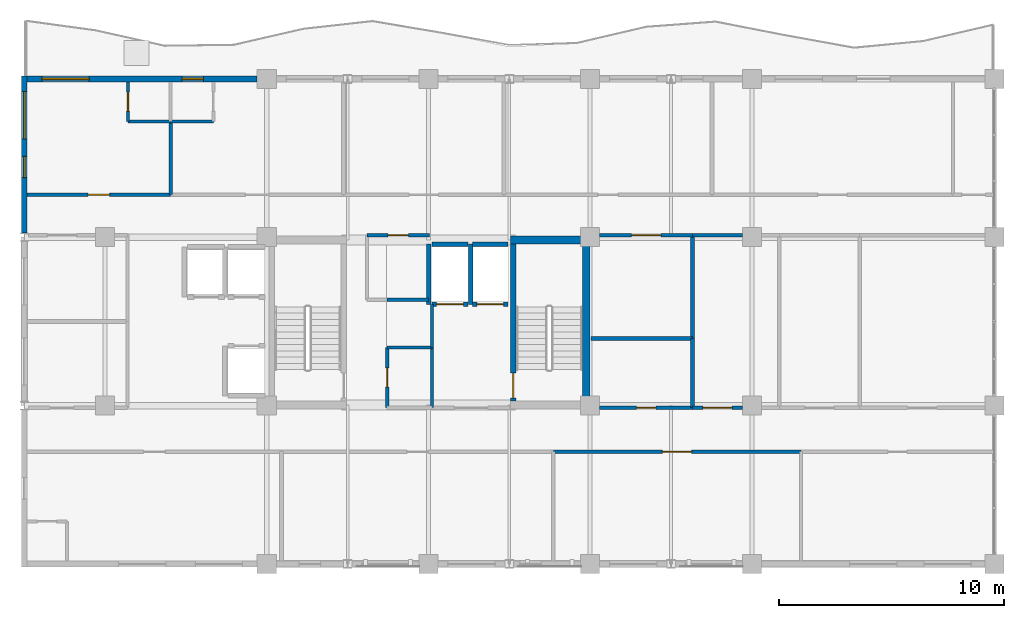
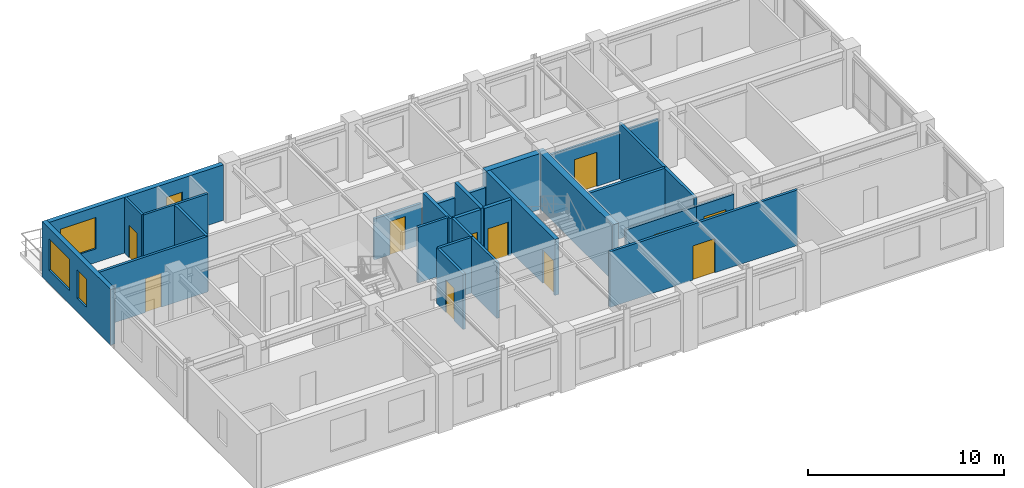
# One storey, part 7 of 11: 30 walls, 11 doors, 4 windows, 15 openings.
"""IFC4 building model written with IfcOpenShell, lengths in metres."""

from ifc_helpers import new_model, si_unit, direction, frame, frame_2d, origin, place, context, subcontext, project, spatial, rectangle, extrude, material, layer, layer_set, type_object, element, fill, save


model = new_model("IFC4")

# Units and contexts
model_context = context("Model", 3, precision=1e-05, world=origin(), true_north=direction((0.0, 1.0)))
body_context = subcontext(model_context, "Body", "Model", "MODEL_VIEW")
ifc_project = project(units=[si_unit("LENGTHUNIT", "METRE"), si_unit("AREAUNIT", "SQUARE_METRE"), si_unit("VOLUMEUNIT", "CUBIC_METRE"), si_unit("PLANEANGLEUNIT", "RADIAN"), si_unit("MASSUNIT", "GRAM", prefix="KILO")], contexts=[model_context])

# Site, building, storey
site_placement = place(None, origin())
site = spatial("IfcSite", under=ifc_project, at=site_placement, CompositionType="ELEMENT")
building_placement = place(site_placement, origin())
building = spatial("IfcBuilding", under=site, at=building_placement, Name="Kaliganga Portal Commons", CompositionType="ELEMENT")
storey_placement = place(building_placement, frame((0.0, 0.0, 272.10009765625)))
storey = spatial("IfcBuildingStorey", under=building, at=storey_placement, Name="L70", CompositionType="ELEMENT", Elevation=272.10009765625)

# Walls
ifc_material_1 = material(Name="Concrete C50/60", Category="concrete")
ifc_layer_1 = layer(ifc_material_1, 0.35009765625)
ifc_layer_set_1 = layer_set([ifc_layer_1], Name="Concrete C50/60")
wall_type_1 = type_object("IfcWallType", Name="WL-CORE-350", PredefinedType="SHEAR", material=ifc_layer_set_1)
wall_1_placement = place(storey_placement, frame((28.625, 28.5, 0.0), z_axis=(0.0, 0.0, 1.0), x_axis=(0.0, 1.0, 0.0)))
element("IfcWall", 1, at=wall_1_placement, inside=storey, type_object=wall_type_1, Name="Core A East Shear Wall L70", PredefinedType="SHEAR", context=body_context, shape_type="SweptSolid", body=[
    extrude(rectangle(XDim=7.699951171875, YDim=0.35009765625, at=frame_2d((3.85009765625, 0.0))), origin(), (0.0, 0.0, 1.0), 3.474853515625),
])
wall_2_placement = place(storey_placement, frame((25.25, 36.02490234375, 0.0), z_axis=(0.0, 0.0, 1.0), x_axis=(1.0, 0.0, 0.0)))
element("IfcWall", 2, at=wall_2_placement, inside=storey, type_object=wall_type_1, Name="Core A N-East Shear Wall L70", PredefinedType="SHEAR", context=body_context, shape_type="SweptSolid", body=[
    extrude(rectangle(XDim=3.199951171875, YDim=0.35009765625, at=frame_2d((1.60009765625, 0.0))), origin(), (0.0, 0.0, 1.0), 3.474853515625),
])

# Wall, openings, windows
ifc_material_2 = material(Name="Insulated Aluminium-Clad Spandrel Assembly", Category="aluminium")
ifc_layer_2 = layer(ifc_material_2, 0.260009765625)
ifc_layer_set_2 = layer_set([ifc_layer_2], Name="Insulated Aluminium-Clad Spandrel Assembly")
wall_type_2 = type_object("IfcWallType", Name="WL-EXT-SPAND-260", PredefinedType="STANDARD", material=ifc_layer_set_2)
wall_3_placement = place(storey_placement, frame((3.735107421875, 43.199951171875, 0.0), z_axis=(0.0, 0.0, 1.0), x_axis=(1.0, 0.0, 0.0)))
wall_3 = element("IfcWall", 3, at=wall_3_placement, inside=storey, type_object=wall_type_2, Name="Exterior Envelope Wall L70 P1-E02-S8", PredefinedType="STANDARD", context=body_context, shape_type="SweptSolid", body=[
    extrude(rectangle(XDim=10.239013671875, YDim=0.260009765625, at=frame_2d((5.11962890625, 0.0))), origin(), (0.0, 0.0, 1.0), 3.454833984375),
])
opening_1_placement = place(wall_3_placement, frame((0.656494140625, 0.0, 0.85009765625)))
opening_1 = element("IfcOpeningElement", 4, at=opening_1_placement, cuts=wall_3, Name="Opening W-06", PredefinedType="OPENING", context=body_context, shape_type="SweptSolid", body=[
    extrude(rectangle(XDim=2.10009765625, YDim=1.949951171875, at=frame_2d((1.050048828125, 0.97509765625))), frame((0.0, 0.14013671875, 0.0), z_axis=(0.0, -1.0, 0.0), x_axis=(1.0, 0.0, 0.0)), (0.0, 0.0, 1.0), 0.280029296875),
])
opening_2_placement = place(wall_3_placement, frame((6.897216796875, 0.0, 0.85009765625)))
opening_2 = element("IfcOpeningElement", 5, at=opening_2_placement, cuts=wall_3, Name="Opening W-04", PredefinedType="OPENING", context=body_context, shape_type="SweptSolid", body=[
    extrude(rectangle(XDim=0.949951171875, YDim=1.75, at=frame_2d((0.47509765625, 0.875))), frame((0.0, 0.14013671875, 0.0), z_axis=(0.0, -1.0, 0.0), x_axis=(1.0, 0.0, 0.0)), (0.0, 0.0, 1.0), 0.280029296875),
])
ifc_material_3 = material(Name="Thermally Broken Aluminium and Low-E Double Glazing", Category="aluminium")
window_type_1 = type_object("IfcWindowType", Name="WIN-NARROW-950", PartitioningType="SINGLE_PANEL", PredefinedType="WINDOW", material=ifc_material_3)
window_1_placement = place(opening_2_placement, origin())
window_1 = element("IfcWindow", 6, at=window_1_placement, inside=storey, type_object=window_type_1, Name="Facade Window L70-P1E02S8-N4", OverallHeight=1.75, OverallWidth=0.949951171875, PartitioningType="SINGLE_PANEL", PredefinedType="WINDOW", context=body_context, shape_type="SweptSolid", body=[
    extrude(rectangle(XDim=0.949951171875, YDim=1.75, at=frame_2d((0.47509765625, 0.875))), frame((0.0, 0.030029296875, 0.0), z_axis=(0.0, -1.0, 0.0), x_axis=(1.0, 0.0, 0.0)), (0.0, 0.0, 1.0), 0.06005859375),
])
fill(opening_2, window_1)
window_type_2 = type_object("IfcWindowType", Name="WIN-PAN-2100", PartitioningType="DOUBLE_PANEL_VERTICAL", PredefinedType="WINDOW", material=ifc_material_3)
window_2_placement = place(opening_1_placement, origin())
window_2 = element("IfcWindow", 7, at=window_2_placement, inside=storey, type_object=window_type_2, Name="Facade Window L70-P1E02S8-00", OverallHeight=1.949951171875, OverallWidth=2.10009765625, PartitioningType="SINGLE_PANEL", PredefinedType="WINDOW", context=body_context, shape_type="SweptSolid", body=[
    extrude(rectangle(XDim=2.10009765625, YDim=1.949951171875, at=frame_2d((1.050048828125, 0.97509765625))), frame((0.0, 0.030029296875, 0.0), z_axis=(0.0, -1.0, 0.0), x_axis=(1.0, 0.0, 0.0)), (0.0, 0.0, 1.0), 0.06005859375),
])
fill(opening_1, window_2)

wall_4_placement = place(storey_placement, frame((3.60009765625, 36.3369140625, 0.0), z_axis=(0.0, 0.0, 1.0), x_axis=(0.0, 1.0, 0.0)))
wall_4 = element("IfcWall", 8, at=wall_4_placement, inside=storey, type_object=wall_type_2, Name="Exterior Envelope Wall L70 P1-E03-S1", PredefinedType="STANDARD", context=body_context, shape_type="SweptSolid", body=[
    extrude(rectangle(XDim=6.9931640625, YDim=0.260009765625, at=frame_2d((3.49658203125, 0.0))), origin(), (0.0, 0.0, 1.0), 3.454833984375),
])
opening_3_placement = place(wall_4_placement, frame((4.194580078125, 0.0, 0.85009765625)))
opening_3 = element("IfcOpeningElement", 9, at=opening_3_placement, cuts=wall_4, Name="Opening W-06", PredefinedType="OPENING", context=body_context, shape_type="SweptSolid", body=[
    extrude(rectangle(XDim=2.10009765625, YDim=1.949951171875, at=frame_2d((1.050048828125, 0.97509765625))), frame((0.0, 0.14013671875, 0.0), z_axis=(0.0, -1.0, 0.0), x_axis=(1.0, 0.0, 0.0)), (0.0, 0.0, 1.0), 0.280029296875),
])
opening_4_placement = place(wall_4_placement, frame((2.462158203125, 0.0, 0.85009765625)))
opening_4 = element("IfcOpeningElement", 10, at=opening_4_placement, cuts=wall_4, Name="Opening W-04", PredefinedType="OPENING", context=body_context, shape_type="SweptSolid", body=[
    extrude(rectangle(XDim=0.949951171875, YDim=1.75, at=frame_2d((0.47509765625, 0.875))), frame((0.0, 0.14013671875, 0.0), z_axis=(0.0, -1.0, 0.0), x_axis=(1.0, 0.0, 0.0)), (0.0, 0.0, 1.0), 0.280029296875),
])
window_3_placement = place(opening_4_placement, origin())
window_3 = element("IfcWindow", 11, at=window_3_placement, inside=storey, type_object=window_type_1, Name="Facade Window L70-P1E03S1-N5", OverallHeight=1.75, OverallWidth=0.949951171875, PartitioningType="SINGLE_PANEL", PredefinedType="WINDOW", context=body_context, shape_type="SweptSolid", body=[
    extrude(rectangle(XDim=0.949951171875, YDim=1.75, at=frame_2d((0.47509765625, 0.875))), frame((0.0, 0.030029296875, 0.0), z_axis=(0.0, -1.0, 0.0), x_axis=(1.0, 0.0, 0.0)), (0.0, 0.0, 1.0), 0.06005859375),
])
fill(opening_4, window_3)
window_4_placement = place(opening_3_placement, origin())
window_4 = element("IfcWindow", 12, at=window_4_placement, inside=storey, type_object=window_type_2, Name="Facade Window L70-P1E03S1-01", OverallHeight=1.949951171875, OverallWidth=2.10009765625, PartitioningType="SINGLE_PANEL", PredefinedType="WINDOW", context=body_context, shape_type="SweptSolid", body=[
    extrude(rectangle(XDim=2.10009765625, YDim=1.949951171875, at=frame_2d((1.050048828125, 0.97509765625))), frame((0.0, 0.030029296875, 0.0), z_axis=(0.0, -1.0, 0.0), x_axis=(1.0, 0.0, 0.0)), (0.0, 0.0, 1.0), 0.06005859375),
])
fill(opening_3, window_4)

# Wall, opening, door
ifc_material_4 = material(Name="Fire-Rated Gypsum Board on Steel Stud", Category="steel")
ifc_layer_3 = layer(ifc_material_4, 0.14990234375)
ifc_layer_set_3 = layer_set([ifc_layer_3], Name="Fire-Rated Gypsum Board on Steel Stud")
wall_type_3 = type_object("IfcWallType", Name="WL-PART-CORR-150", PredefinedType="PARTITIONING", material=ifc_layer_set_3)
wall_5_placement = place(storey_placement, frame((27.159912109375, 26.60009765625, 0.0), z_axis=(0.0, 0.0, 1.0), x_axis=(1.0, 0.0, 0.0)))
wall_5 = element("IfcWall", 13, at=wall_5_placement, inside=storey, type_object=wall_type_3, Name="Interior Partition L70-010", PredefinedType="PARTITIONING", context=body_context, shape_type="SweptSolid", body=[
    extrude(rectangle(XDim=11.02001953125, YDim=0.14990234375, at=frame_2d((5.510009765625, 0.0))), origin(), (0.0, 0.0, 1.0), 3.454833984375),
])
opening_5_placement = place(wall_5_placement, frame((4.860107421875, 0.0, 0.0)))
opening_5 = element("IfcOpeningElement", 14, at=opening_5_placement, cuts=wall_5, Name="Opening RD-03", PredefinedType="OPENING", context=body_context, shape_type="SweptSolid", body=[
    extrude(rectangle(XDim=1.300048828125, YDim=2.1201171875, at=frame_2d((0.64990234375, 1.06005859375))), frame((0.0, 0.0849609375, 0.0), z_axis=(0.0, -1.0, 0.0), x_axis=(1.0, 0.0, 0.0)), (0.0, 0.0, 1.0), 0.169921875),
])
ifc_material_5 = material(Name="Glazed Timber Seminar Vision Door", Category="wood")
door_type_1 = type_object("IfcDoorType", Name="DR-STUDY-1300", OperationType="DOUBLE_DOOR_SINGLE_SWING", PredefinedType="DOOR", material=ifc_material_5)
door_1_placement = place(opening_5_placement, origin())
door_1 = element("IfcDoor", 15, at=door_1_placement, inside=storey, type_object=door_type_1, Name="Interior Door L70-AS03", OperationType="DOUBLE_DOOR_SINGLE_SWING", OverallHeight=2.1201171875, OverallWidth=1.300048828125, PredefinedType="DOOR", context=body_context, shape_type="SweptSolid", body=[
    extrude(rectangle(XDim=1.300048828125, YDim=2.1201171875, at=frame_2d((0.64990234375, 1.06005859375))), frame((0.0, 0.02490234375, 0.0), z_axis=(0.0, -1.0, 0.0), x_axis=(1.0, 0.0, 0.0)), (0.0, 0.0, 1.0), 0.050048828125),
])
fill(opening_5, door_1)

wall_6_placement = place(storey_placement, frame((3.73193359375, 38.0400390625, 0.0), z_axis=(0.0, 0.0, 1.0), x_axis=(1.0, 0.0, 0.0)))
wall_6 = element("IfcWall", 16, at=wall_6_placement, inside=storey, type_object=wall_type_3, Name="Interior Partition L70-016", PredefinedType="PARTITIONING", context=body_context, shape_type="SweptSolid", body=[
    extrude(rectangle(XDim=6.38818359375, YDim=0.14990234375, at=frame_2d((3.194091796875, 0.0))), origin(), (0.0, 0.0, 1.0), 3.454833984375),
])
opening_6_placement = place(wall_6_placement, frame((2.718994140625, 0.0, 0.0)))
opening_6 = element("IfcOpeningElement", 17, at=opening_6_placement, cuts=wall_6, Name="Opening UD-01", PredefinedType="OPENING", context=body_context, shape_type="SweptSolid", body=[
    extrude(rectangle(XDim=0.949951171875, YDim=2.10009765625, at=frame_2d((0.47509765625, 1.050048828125))), frame((0.0, 0.0849609375, 0.0), z_axis=(0.0, -1.0, 0.0), x_axis=(1.0, 0.0, 0.0)), (0.0, 0.0, 1.0), 0.169921875),
])
ifc_material_6 = material(Name="Solid-Core Timber Acoustic Fire Door", Category="wood")
door_type_2 = type_object("IfcDoorType", Name="DR-UNIT-950", OperationType="NOTDEFINED", PredefinedType="DOOR", material=ifc_material_6)
door_2_placement = place(opening_6_placement, origin())
door_2 = element("IfcDoor", 18, at=door_2_placement, inside=storey, type_object=door_type_2, Name="Interior Door L70-AN01", OperationType="SINGLE_SWING_RIGHT", OverallHeight=2.10009765625, OverallWidth=0.949951171875, PredefinedType="DOOR", context=body_context, shape_type="SweptSolid", body=[
    extrude(rectangle(XDim=0.949951171875, YDim=2.10009765625, at=frame_2d((0.47509765625, 1.050048828125))), frame((0.0, 0.02490234375, 0.0), z_axis=(0.0, -1.0, 0.0), x_axis=(1.0, 0.0, 0.0)), (0.0, 0.0, 1.0), 0.050048828125),
])
fill(opening_6, door_2)

wall_7_placement = place(storey_placement, frame((29.22509765625, 28.56005859375, 0.0), z_axis=(0.0, 0.0, 1.0), x_axis=(1.0, 0.0, 0.0)))
wall_7 = element("IfcWall", 19, at=wall_7_placement, inside=storey, type_object=wall_type_3, Name="Interior Partition L70-023", PredefinedType="PARTITIONING", context=body_context, shape_type="SweptSolid", body=[
    extrude(rectangle(XDim=4.135009765625, YDim=0.14990234375, at=frame_2d((2.0673828125, 0.0))), origin(), (0.0, 0.0, 1.0), 2.90478515625),
])
opening_7_placement = place(wall_7_placement, frame((1.637451171875, 0.0, 0.0)))
opening_7 = element("IfcOpeningElement", 20, at=opening_7_placement, cuts=wall_7, Name="Opening WD-02", PredefinedType="OPENING", context=body_context, shape_type="SweptSolid", body=[
    extrude(rectangle(XDim=0.860107421875, YDim=2.02001953125, at=frame_2d((0.43017578125, 1.010009765625))), frame((0.0, 0.0849609375, 0.0), z_axis=(0.0, -1.0, 0.0), x_axis=(1.0, 0.0, 0.0)), (0.0, 0.0, 1.0), 0.169921875),
])
ifc_material_7 = material(Name="Fire-Rated Utility Closet Door", Category="wood")
door_type_3 = type_object("IfcDoorType", Name="DR-STORE-800", OperationType="NOTDEFINED", PredefinedType="DOOR", material=ifc_material_7)
door_3_placement = place(opening_7_placement, origin())
door_3 = element("IfcDoor", 21, at=door_3_placement, inside=storey, type_object=door_type_3, Name="Interior Door L70-CSRV_A1", OperationType="SINGLE_SWING_RIGHT", OverallHeight=2.02001953125, OverallWidth=0.860107421875, PredefinedType="DOOR", context=body_context, shape_type="SweptSolid", body=[
    extrude(rectangle(XDim=0.860107421875, YDim=2.02001953125, at=frame_2d((0.43017578125, 1.010009765625))), frame((0.0, 0.02490234375, 0.0), z_axis=(0.0, -1.0, 0.0), x_axis=(1.0, 0.0, 0.0)), (0.0, 0.0, 1.0), 0.050048828125),
])
fill(opening_7, door_3)

wall_8_placement = place(storey_placement, frame((29.22509765625, 36.239990234375, 0.0), z_axis=(0.0, 0.0, 1.0), x_axis=(1.0, 0.0, 0.0)))
wall_8 = element("IfcWall", 22, at=wall_8_placement, inside=storey, type_object=wall_type_3, Name="Interior Partition L70-024", PredefinedType="PARTITIONING", context=body_context, shape_type="SweptSolid", body=[
    extrude(rectangle(XDim=4.135009765625, YDim=0.14990234375, at=frame_2d((2.0673828125, 0.0))), origin(), (0.0, 0.0, 1.0), 2.90478515625),
])
opening_8_placement = place(wall_8_placement, frame((1.41748046875, 0.0, 0.0)))
opening_8 = element("IfcOpeningElement", 23, at=opening_8_placement, cuts=wall_8, Name="Opening RD-03", PredefinedType="OPENING", context=body_context, shape_type="SweptSolid", body=[
    extrude(rectangle(XDim=1.300048828125, YDim=2.1201171875, at=frame_2d((0.64990234375, 1.06005859375))), frame((0.0, 0.0849609375, 0.0), z_axis=(0.0, -1.0, 0.0), x_axis=(1.0, 0.0, 0.0)), (0.0, 0.0, 1.0), 0.169921875),
])
door_4_placement = place(opening_8_placement, origin())
door_4 = element("IfcDoor", 24, at=door_4_placement, inside=storey, type_object=door_type_1, Name="Interior Door L70-CSRV_A2", OperationType="DOUBLE_DOOR_SINGLE_SWING", OverallHeight=2.1201171875, OverallWidth=1.300048828125, PredefinedType="DOOR", context=body_context, shape_type="SweptSolid", body=[
    extrude(rectangle(XDim=1.300048828125, YDim=2.1201171875, at=frame_2d((0.64990234375, 1.06005859375))), frame((0.0, 0.02490234375, 0.0), z_axis=(0.0, -1.0, 0.0), x_axis=(1.0, 0.0, 0.0)), (0.0, 0.0, 1.0), 0.050048828125),
])
fill(opening_8, door_4)

wall_9_placement = place(storey_placement, frame((33.360107421875, 28.56005859375, 0.0), z_axis=(0.0, 0.0, 1.0), x_axis=(1.0, 0.0, 0.0)))
wall_9 = element("IfcWall", 25, at=wall_9_placement, inside=storey, type_object=wall_type_3, Name="Interior Partition L70-025", PredefinedType="PARTITIONING", context=body_context, shape_type="SweptSolid", body=[
    extrude(rectangle(XDim=2.21484375, YDim=0.14990234375, at=frame_2d((1.107421875, 0.0))), origin(), (0.0, 0.0, 1.0), 2.90478515625),
])
opening_9_placement = place(wall_9_placement, frame((0.45751953125, 0.0, 0.0)))
opening_9 = element("IfcOpeningElement", 26, at=opening_9_placement, cuts=wall_9, Name="Opening RD-03", PredefinedType="OPENING", context=body_context, shape_type="SweptSolid", body=[
    extrude(rectangle(XDim=1.300048828125, YDim=2.1201171875, at=frame_2d((0.64990234375, 1.06005859375))), frame((0.0, 0.0849609375, 0.0), z_axis=(0.0, -1.0, 0.0), x_axis=(1.0, 0.0, 0.0)), (0.0, 0.0, 1.0), 0.169921875),
])
door_5_placement = place(opening_9_placement, origin())
door_5 = element("IfcDoor", 27, at=door_5_placement, inside=storey, type_object=door_type_1, Name="Interior Door L70-AE01", OperationType="DOUBLE_DOOR_SINGLE_SWING", OverallHeight=2.1201171875, OverallWidth=1.300048828125, PredefinedType="DOOR", context=body_context, shape_type="SweptSolid", body=[
    extrude(rectangle(XDim=1.300048828125, YDim=2.1201171875, at=frame_2d((0.64990234375, 1.06005859375))), frame((0.0, 0.02490234375, 0.0), z_axis=(0.0, -1.0, 0.0), x_axis=(1.0, 0.0, 0.0)), (0.0, 0.0, 1.0), 0.050048828125),
])
fill(opening_9, door_5)

# Wall
wall_10_placement = place(storey_placement, frame((33.360107421875, 36.239990234375, 0.0), z_axis=(0.0, 0.0, 1.0), x_axis=(1.0, 0.0, 0.0)))
element("IfcWall", 28, at=wall_10_placement, inside=storey, type_object=wall_type_3, Name="Interior Partition L70-027", PredefinedType="PARTITIONING", context=body_context, shape_type="SweptSolid", body=[
    extrude(rectangle(XDim=2.21484375, YDim=0.14990234375, at=frame_2d((1.107421875, 0.0))), origin(), (0.0, 0.0, 1.0), 2.90478515625),
])

# Wall, opening, door
wall_11_placement = place(storey_placement, frame((18.860107421875, 36.239990234375, 0.0), z_axis=(0.0, 0.0, 1.0), x_axis=(1.0, 0.0, 0.0)))
wall_11 = element("IfcWall", 29, at=wall_11_placement, inside=storey, type_object=wall_type_3, Name="Interior Partition L70-034", PredefinedType="PARTITIONING", context=body_context, shape_type="SweptSolid", body=[
    extrude(rectangle(XDim=2.77978515625, YDim=0.14990234375, at=frame_2d((1.389892578125, 0.0))), origin(), (0.0, 0.0, 1.0), 2.554931640625),
])
opening_10_placement = place(wall_11_placement, frame((0.93994140625, 0.0, 0.0)))
opening_10 = element("IfcOpeningElement", 30, at=opening_10_placement, cuts=wall_11, Name="Opening RD-01", PredefinedType="OPENING", context=body_context, shape_type="SweptSolid", body=[
    extrude(rectangle(XDim=0.89990234375, YDim=2.080078125, at=frame_2d((0.449951171875, 1.0400390625))), frame((0.0, 0.0849609375, 0.0), z_axis=(0.0, -1.0, 0.0), x_axis=(1.0, 0.0, 0.0)), (0.0, 0.0, 1.0), 0.169921875),
])
ifc_material_8 = material(Name="Engineered Timber Flush Door", Category="wood")
door_type_4 = type_object("IfcDoorType", Name="DR-ROOM-900", OperationType="NOTDEFINED", PredefinedType="DOOR", material=ifc_material_8)
door_6_placement = place(opening_10_placement, origin())
door_6 = element("IfcDoor", 31, at=door_6_placement, inside=storey, type_object=door_type_4, Name="Interior Door L70-CREC_A1", OperationType="SINGLE_SWING_RIGHT", OverallHeight=2.080078125, OverallWidth=0.89990234375, PredefinedType="DOOR", context=body_context, shape_type="SweptSolid", body=[
    extrude(rectangle(XDim=0.89990234375, YDim=2.080078125, at=frame_2d((0.449951171875, 1.0400390625))), frame((0.0, 0.02490234375, 0.0), z_axis=(0.0, -1.0, 0.0), x_axis=(1.0, 0.0, 0.0)), (0.0, 0.0, 1.0), 0.050048828125),
])
fill(opening_10, door_6)

wall_12_placement = place(storey_placement, frame((19.760009765625, 28.56005859375, 0.0), z_axis=(0.0, 0.0, 1.0), x_axis=(0.0, 1.0, 0.0)))
wall_12 = element("IfcWall", 32, at=wall_12_placement, inside=storey, type_object=wall_type_3, Name="Interior Partition L70-035", PredefinedType="PARTITIONING", context=body_context, shape_type="SweptSolid", body=[
    extrude(rectangle(XDim=2.679931640625, YDim=0.14990234375, at=frame_2d((1.33984375, 0.0))), origin(), (0.0, 0.0, 1.0), 3.454833984375),
])
opening_11_placement = place(wall_12_placement, frame((0.909912109375, 0.0, 0.0)))
opening_11 = element("IfcOpeningElement", 33, at=opening_11_placement, cuts=wall_12, Name="Opening WD-02", PredefinedType="OPENING", context=body_context, shape_type="SweptSolid", body=[
    extrude(rectangle(XDim=0.860107421875, YDim=2.02001953125, at=frame_2d((0.43017578125, 1.010009765625))), frame((0.0, 0.0849609375, 0.0), z_axis=(0.0, -1.0, 0.0), x_axis=(1.0, 0.0, 0.0)), (0.0, 0.0, 1.0), 0.169921875),
])
door_7_placement = place(opening_11_placement, origin())
door_7 = element("IfcDoor", 34, at=door_7_placement, inside=storey, type_object=door_type_3, Name="Interior Door L70-CIN_A1", OperationType="SINGLE_SWING_LEFT", OverallHeight=2.02001953125, OverallWidth=0.860107421875, PredefinedType="DOOR", context=body_context, shape_type="SweptSolid", body=[
    extrude(rectangle(XDim=0.860107421875, YDim=2.02001953125, at=frame_2d((0.43017578125, 1.010009765625))), frame((0.0, 0.02490234375, 0.0), z_axis=(0.0, -1.0, 0.0), x_axis=(1.0, 0.0, 0.0)), (0.0, 0.0, 1.0), 0.050048828125),
])
fill(opening_11, door_7)

# Walls
wall_13_placement = place(storey_placement, frame((21.760009765625, 28.56005859375, 0.0), z_axis=(0.0, 0.0, 1.0), x_axis=(0.0, 1.0, 0.0)))
element("IfcWall", 35, at=wall_13_placement, inside=storey, type_object=wall_type_3, Name="Interior Partition L70-036", PredefinedType="PARTITIONING", context=body_context, shape_type="SweptSolid", body=[
    extrude(rectangle(XDim=2.679931640625, YDim=0.14990234375, at=frame_2d((1.33984375, 0.0))), origin(), (0.0, 0.0, 1.0), 3.454833984375),
])
wall_14_placement = place(storey_placement, frame((19.760009765625, 31.239990234375, 0.0), z_axis=(0.0, 0.0, 1.0), x_axis=(1.0, 0.0, 0.0)))
element("IfcWall", 36, at=wall_14_placement, inside=storey, type_object=wall_type_3, Name="Interior Partition L70-038", PredefinedType="PARTITIONING", context=body_context, shape_type="SweptSolid", body=[
    extrude(rectangle(XDim=2.0, YDim=0.14990234375, at=frame_2d((1.0, 0.0))), origin(), (0.0, 0.0, 1.0), 3.454833984375),
])
wall_15_placement = place(storey_placement, frame((19.760009765625, 33.360107421875, 0.0), z_axis=(0.0, 0.0, 1.0), x_axis=(1.0, 0.0, 0.0)))
element("IfcWall", 37, at=wall_15_placement, inside=storey, type_object=wall_type_3, Name="Interior Partition L70-039", PredefinedType="PARTITIONING", context=body_context, shape_type="SweptSolid", body=[
    extrude(rectangle(XDim=1.85009765625, YDim=0.14990234375, at=frame_2d((0.925048828125, 0.0))), origin(), (0.0, 0.0, 1.0), 3.454833984375),
])
wall_16_placement = place(storey_placement, frame((21.760009765625, 31.239990234375, 0.0), z_axis=(0.0, 0.0, 1.0), x_axis=(0.0, 1.0, 0.0)))
element("IfcWall", 38, at=wall_16_placement, inside=storey, type_object=wall_type_3, Name="Interior Partition L70-057", PredefinedType="PARTITIONING", context=body_context, shape_type="SweptSolid", body=[
    extrude(rectangle(XDim=1.919921875, YDim=0.14990234375, at=frame_2d((0.9599609375, 0.0))), origin(), (0.0, 0.0, 1.0), 3.454833984375),
])
ifc_material_9 = material(Name="Twin-Stud Acoustic Gypsum Partition", Category="gypsum")
ifc_layer_4 = layer(ifc_material_9, 0.1650390625)
ifc_layer_set_4 = layer_set([ifc_layer_4], Name="Twin-Stud Acoustic Gypsum Partition")
wall_type_4 = type_object("IfcWallType", Name="WL-PART-UNIT-165", PredefinedType="PARTITIONING", material=ifc_layer_set_4)
wall_17_placement = place(storey_placement, frame((33.360107421875, 31.639892578125, 0.0), z_axis=(0.0, 0.0, 1.0), x_axis=(0.0, 1.0, 0.0)))
element("IfcWall", 39, at=wall_17_placement, inside=storey, type_object=wall_type_4, Name="Interior Partition L70-051", PredefinedType="PARTITIONING", context=body_context, shape_type="SweptSolid", body=[
    extrude(rectangle(XDim=4.60009765625, YDim=0.1650390625, at=frame_2d((2.300048828125, 0.0))), origin(), (0.0, 0.0, 1.0), 3.454833984375),
])
wall_18_placement = place(storey_placement, frame((28.840087890625, 31.639892578125, 0.0), z_axis=(0.0, 0.0, 1.0), x_axis=(1.0, 0.0, 0.0)))
element("IfcWall", 40, at=wall_18_placement, inside=storey, type_object=wall_type_4, Name="Interior Partition L70-053", PredefinedType="PARTITIONING", context=body_context, shape_type="SweptSolid", body=[
    extrude(rectangle(XDim=4.52001953125, YDim=0.1650390625, at=frame_2d((2.260009765625, 0.0))), origin(), (0.0, 0.0, 1.0), 3.454833984375),
])
wall_19_placement = place(storey_placement, frame((10.1201171875, 38.0400390625, 0.0), z_axis=(0.0, 0.0, 1.0), x_axis=(0.0, 1.0, 0.0)))
element("IfcWall", 41, at=wall_19_placement, inside=storey, type_object=wall_type_4, Name="Interior Partition L70-055", PredefinedType="PARTITIONING", context=body_context, shape_type="SweptSolid", body=[
    extrude(rectangle(XDim=3.260009765625, YDim=0.1650390625, at=frame_2d((1.6298828125, 0.0))), origin(), (0.0, 0.0, 1.0), 3.454833984375),
])
wall_20_placement = place(storey_placement, frame((33.360107421875, 28.56005859375, 0.0), z_axis=(0.0, 0.0, 1.0), x_axis=(0.0, 1.0, 0.0)))
element("IfcWall", 42, at=wall_20_placement, inside=storey, type_object=wall_type_4, Name="Interior Partition L70-056", PredefinedType="PARTITIONING", context=body_context, shape_type="SweptSolid", body=[
    extrude(rectangle(XDim=3.079833984375, YDim=0.1650390625, at=frame_2d((1.5400390625, 0.0))), origin(), (0.0, 0.0, 1.0), 3.454833984375),
])

# Wall, opening, door
ifc_material_10 = material(Name="Cement-Board Wet-Room Partition", Category="gypsum")
ifc_layer_5 = layer(ifc_material_10, 0.135009765625)
ifc_layer_set_5 = layer_set([ifc_layer_5], Name="Cement-Board Wet-Room Partition")
wall_type_5 = type_object("IfcWallType", Name="WL-PART-WET-135", PredefinedType="PARTITIONING", material=ifc_layer_set_5)
wall_21_placement = place(storey_placement, frame((8.219970703125, 41.300048828125, 0.0), z_axis=(0.0, 0.0, 1.0), x_axis=(0.0, 1.0, 0.0)))
wall_21 = element("IfcWall", 43, at=wall_21_placement, inside=storey, type_object=wall_type_5, Name="Interior Partition L70-001", PredefinedType="PARTITIONING", context=body_context, shape_type="SweptSolid", body=[
    extrude(rectangle(XDim=1.76806640625, YDim=0.135009765625, at=frame_2d((0.884033203125, 0.0))), origin(), (0.0, 0.0, 1.0), 3.454833984375),
])
opening_12_placement = place(wall_21_placement, frame((0.458984375, 0.0, 0.0)))
opening_12 = element("IfcOpeningElement", 44, at=opening_12_placement, cuts=wall_21, Name="Opening WD-01", PredefinedType="OPENING", context=body_context, shape_type="SweptSolid", body=[
    extrude(rectangle(XDim=0.85009765625, YDim=2.0400390625, at=frame_2d((0.425048828125, 1.02001953125))), frame((0.0, 0.07763671875, 0.0), z_axis=(0.0, -1.0, 0.0), x_axis=(1.0, 0.0, 0.0)), (0.0, 0.0, 1.0), 0.155029296875),
])
ifc_material_11 = material(Name="Moisture-Resistant Laminate Timber Door", Category="wood")
door_type_5 = type_object("IfcDoorType", Name="DR-WET-850", OperationType="NOTDEFINED", PredefinedType="DOOR", material=ifc_material_11)
door_8_placement = place(opening_12_placement, origin())
door_8 = element("IfcDoor", 45, at=door_8_placement, inside=storey, type_object=door_type_5, Name="Interior Door L70-AN01E", OperationType="SINGLE_SWING_LEFT", OverallHeight=2.0400390625, OverallWidth=0.85009765625, PredefinedType="DOOR", context=body_context, shape_type="SweptSolid", body=[
    extrude(rectangle(XDim=0.85009765625, YDim=2.0400390625, at=frame_2d((0.425048828125, 1.02001953125))), frame((0.0, 0.02490234375, 0.0), z_axis=(0.0, -1.0, 0.0), x_axis=(1.0, 0.0, 0.0)), (0.0, 0.0, 1.0), 0.050048828125),
])
fill(opening_12, door_8)

# Walls
wall_22_placement = place(storey_placement, frame((10.1201171875, 41.300048828125, 0.0), z_axis=(0.0, 0.0, 1.0), x_axis=(1.0, 0.0, 0.0)))
element("IfcWall", 46, at=wall_22_placement, inside=storey, type_object=wall_type_5, Name="Interior Partition L70-004", PredefinedType="PARTITIONING", context=body_context, shape_type="SweptSolid", body=[
    extrude(rectangle(XDim=1.89990234375, YDim=0.135009765625, at=frame_2d((0.949951171875, 0.0))), origin(), (0.0, 0.0, 1.0), 3.454833984375),
])
wall_23_placement = place(storey_placement, frame((8.219970703125, 41.300048828125, 0.0), z_axis=(0.0, 0.0, 1.0), x_axis=(1.0, 0.0, 0.0)))
element("IfcWall", 47, at=wall_23_placement, inside=storey, type_object=wall_type_5, Name="Interior Partition L70-006", PredefinedType="PARTITIONING", context=body_context, shape_type="SweptSolid", body=[
    extrude(rectangle(XDim=1.900146484375, YDim=0.135009765625, at=frame_2d((0.9501953125, 0.0))), origin(), (0.0, 0.0, 1.0), 3.454833984375),
])

# Wall, opening, door
ifc_material_12 = material(Name="Fire-Rated Shaftwall Masonry Assembly", Category="masonry")
ifc_layer_6 = layer(ifc_material_12, 0.199951171875)
ifc_layer_set_6 = layer_set([ifc_layer_6], Name="Fire-Rated Shaftwall Masonry Assembly")
wall_type_6 = type_object("IfcWallType", Name="WL-SHAFT-200", PredefinedType="PARTITIONING", material=ifc_layer_set_6)
wall_24_placement = place(storey_placement, frame((21.75, 33.159912109375, 0.0), z_axis=(0.0, 0.0, 1.0), x_axis=(1.0, 0.0, 0.0)))
wall_24 = element("IfcWall", 48, at=wall_24_placement, inside=storey, type_object=wall_type_6, Name="Lift FFL-1 Hoistway Shaft Wall L70-S", PredefinedType="PARTITIONING", context=body_context, shape_type="SweptSolid", body=[
    extrude(rectangle(XDim=1.60009765625, YDim=0.199951171875, at=frame_2d((0.800048828125, 0.0))), origin(), (0.0, 0.0, 1.0), 3.454833984375),
])
opening_13_placement = place(wall_24_placement, frame((0.199951171875, 0.0, 0.0)))
opening_13 = element("IfcOpeningElement", 49, at=opening_13_placement, cuts=wall_24, Name="Opening LD-02", PredefinedType="OPENING", context=body_context, shape_type="SweptSolid", body=[
    extrude(rectangle(XDim=1.199951171875, YDim=2.1201171875, at=frame_2d((0.60009765625, 1.06005859375))), frame((0.0, 0.10986328125, 0.0), z_axis=(0.0, -1.0, 0.0), x_axis=(1.0, 0.0, 0.0)), (0.0, 0.0, 1.0), 0.219970703125),
])
ifc_material_13 = material(Name="Brushed Stainless Steel 316 Stretcher Lift Landing Door", Category="steel")
door_type_6 = type_object("IfcDoorType", Name="DR-LIFT-1200", OperationType="SLIDING_TO_RIGHT", PredefinedType="DOOR", material=ifc_material_13)
door_9_placement = place(opening_13_placement, origin())
door_9 = element("IfcDoor", 50, at=door_9_placement, inside=storey, type_object=door_type_6, Name="Lift FFL-1 Sliding Landing Door L70", OperationType="SLIDING_TO_RIGHT", OverallHeight=2.1201171875, OverallWidth=1.199951171875, PredefinedType="DOOR", context=body_context, shape_type="SweptSolid", body=[
    extrude(rectangle(XDim=1.199951171875, YDim=2.1201171875, at=frame_2d((0.60009765625, 1.06005859375))), frame((0.0, 0.02490234375, 0.0), z_axis=(0.0, -1.0, 0.0), x_axis=(1.0, 0.0, 0.0)), (0.0, 0.0, 1.0), 0.050048828125),
])
fill(opening_13, door_9)

# Walls
wall_25_placement = place(storey_placement, frame((21.75, 35.840087890625, 0.0), z_axis=(0.0, 0.0, 1.0), x_axis=(1.0, 0.0, 0.0)))
element("IfcWall", 51, at=wall_25_placement, inside=storey, type_object=wall_type_6, Name="Lift FFL-1 Hoistway Shaft Wall L70-N", PredefinedType="PARTITIONING", context=body_context, shape_type="SweptSolid", body=[
    extrude(rectangle(XDim=1.60009765625, YDim=0.199951171875, at=frame_2d((0.800048828125, 0.0))), origin(), (0.0, 0.0, 1.0), 2.554931640625),
])
for number, where, z_axis, x_axis, name in (
    (52, (21.610107421875, 33.159912109375, 0.0), (0.0, 0.0, 1.0), (0.0, 1.0, 0.0), "Lift FFL-1 Hoistway Shaft Wall L70-W"),
    (53, (23.489990234375, 33.159912109375, 0.0), (0.0, 0.0, 1.0), (0.0, 1.0, 0.0), "Lift FFL-1 Hoistway Shaft Wall L70-E"),
):
    element("IfcWall", number, at=place(storey_placement, frame(where, z_axis=z_axis, x_axis=x_axis)), inside=storey, type_object=wall_type_6, Name=name, PredefinedType="PARTITIONING", context=body_context, shape_type="SweptSolid", body=[
        extrude(rectangle(XDim=2.68017578125, YDim=0.199951171875, at=frame_2d((1.340087890625, 0.0))), origin(), (0.0, 0.0, 1.0), 3.454833984375),
    ])

# Wall, opening, door
wall_26_placement = place(storey_placement, frame((23.550048828125, 33.159912109375, 0.0), z_axis=(0.0, 0.0, 1.0), x_axis=(1.0, 0.0, 0.0)))
wall_26 = element("IfcWall", 54, at=wall_26_placement, inside=storey, type_object=wall_type_6, Name="Lift FFL-2 Hoistway Shaft Wall L70-S", PredefinedType="PARTITIONING", context=body_context, shape_type="SweptSolid", body=[
    extrude(rectangle(XDim=1.599853515625, YDim=0.199951171875, at=frame_2d((0.7998046875, 0.0))), origin(), (0.0, 0.0, 1.0), 3.454833984375),
])
opening_14_placement = place(wall_26_placement, frame((0.199951171875, 0.0, 0.0)))
opening_14 = element("IfcOpeningElement", 55, at=opening_14_placement, cuts=wall_26, Name="Opening LD-02", PredefinedType="OPENING", context=body_context, shape_type="SweptSolid", body=[
    extrude(rectangle(XDim=1.199951171875, YDim=2.1201171875, at=frame_2d((0.60009765625, 1.06005859375))), frame((0.0, 0.10986328125, 0.0), z_axis=(0.0, -1.0, 0.0), x_axis=(1.0, 0.0, 0.0)), (0.0, 0.0, 1.0), 0.219970703125),
])
door_10_placement = place(opening_14_placement, origin())
door_10 = element("IfcDoor", 56, at=door_10_placement, inside=storey, type_object=door_type_6, Name="Lift FFL-2 Sliding Landing Door L70", OperationType="SLIDING_TO_RIGHT", OverallHeight=2.1201171875, OverallWidth=1.199951171875, PredefinedType="DOOR", context=body_context, shape_type="SweptSolid", body=[
    extrude(rectangle(XDim=1.199951171875, YDim=2.1201171875, at=frame_2d((0.60009765625, 1.06005859375))), frame((0.0, 0.02490234375, 0.0), z_axis=(0.0, -1.0, 0.0), x_axis=(1.0, 0.0, 0.0)), (0.0, 0.0, 1.0), 0.050048828125),
])
fill(opening_14, door_10)

# Wall
wall_27_placement = place(storey_placement, frame((23.550048828125, 35.840087890625, 0.0), z_axis=(0.0, 0.0, 1.0), x_axis=(1.0, 0.0, 0.0)))
element("IfcWall", 57, at=wall_27_placement, inside=storey, type_object=wall_type_6, Name="Lift FFL-2 Hoistway Shaft Wall L70-N", PredefinedType="PARTITIONING", context=body_context, shape_type="SweptSolid", body=[
    extrude(rectangle(XDim=1.599853515625, YDim=0.199951171875, at=frame_2d((0.7998046875, 0.0))), origin(), (0.0, 0.0, 1.0), 2.554931640625),
])

# Wall, opening, door
ifc_layer_7 = layer(ifc_material_1, 0.25)
ifc_layer_set_7 = layer_set([ifc_layer_7], Name="Concrete C50/60")
wall_type_7 = type_object("IfcWallType", Name="WL-STAIR-250", PredefinedType="SHEAR", material=ifc_layer_set_7)
wall_28_placement = place(storey_placement, frame((25.375, 28.85009765625, 0.0), z_axis=(0.0, 0.0, 1.0), x_axis=(0.0, 1.0, 0.0)))
wall_28 = element("IfcWall", 58, at=wall_28_placement, inside=storey, type_object=wall_type_7, Name="Stair A2 Enclosure Shear Wall L70", PredefinedType="SHEAR", context=body_context, shape_type="SweptSolid", body=[
    extrude(rectangle(XDim=7.0, YDim=0.25, at=frame_2d((3.5, 0.0))), origin(), (0.0, 0.0, 1.0), 3.474853515625),
])
opening_15_placement = place(wall_28_placement, frame((0.14990234375, 0.0, 0.0)))
opening_15 = element("IfcOpeningElement", 59, at=opening_15_placement, cuts=wall_28, Name="Opening SD-01", PredefinedType="OPENING", context=body_context, shape_type="SweptSolid", body=[
    extrude(rectangle(XDim=1.10009765625, YDim=2.080078125, at=frame_2d((0.550048828125, 1.0400390625))), frame((0.0, 0.135009765625, 0.0), z_axis=(0.0, -1.0, 0.0), x_axis=(1.0, 0.0, 0.0)), (0.0, 0.0, 1.0), 0.27001953125),
])
ifc_material_14 = material(Name="Galvanized Steel Fire Door Leaf and Frame", Category="steel")
door_type_7 = type_object("IfcDoorType", Name="DR-STAIR-1100", OperationType="NOTDEFINED", PredefinedType="DOOR", material=ifc_material_14)
door_11_placement = place(opening_15_placement, origin())
door_11 = element("IfcDoor", 60, at=door_11_placement, inside=storey, type_object=door_type_7, Name="Protected Stair ST-A2 Fire Door L70", OperationType="SINGLE_SWING_LEFT", OverallHeight=2.080078125, OverallWidth=1.10009765625, PredefinedType="DOOR", context=body_context, shape_type="SweptSolid", body=[
    extrude(rectangle(XDim=1.10009765625, YDim=2.080078125, at=frame_2d((0.550048828125, 1.0400390625))), frame((0.0, 0.02490234375, 0.0), z_axis=(0.0, -1.0, 0.0), x_axis=(1.0, 0.0, 0.0)), (0.0, 0.0, 1.0), 0.050048828125),
])
fill(opening_15, door_11)

save(model, "model.ifc")
